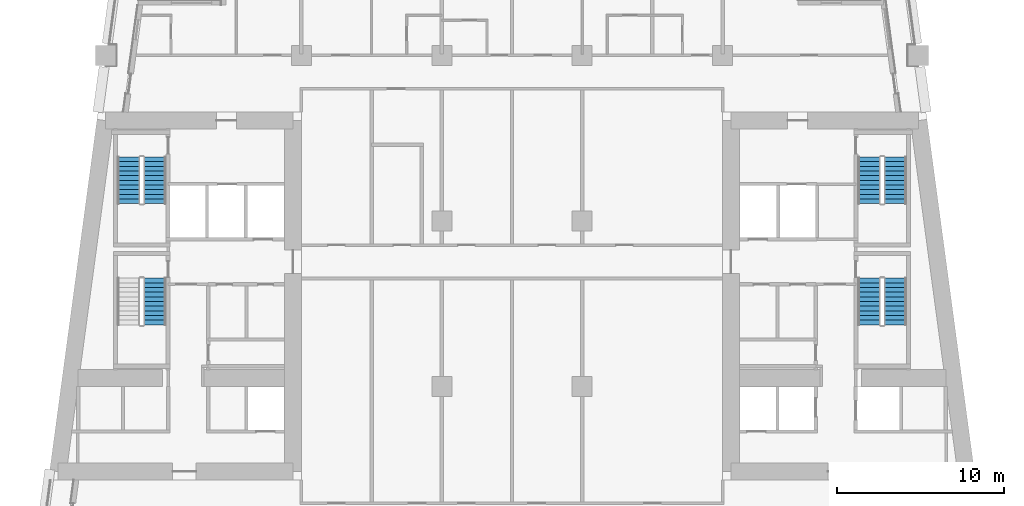
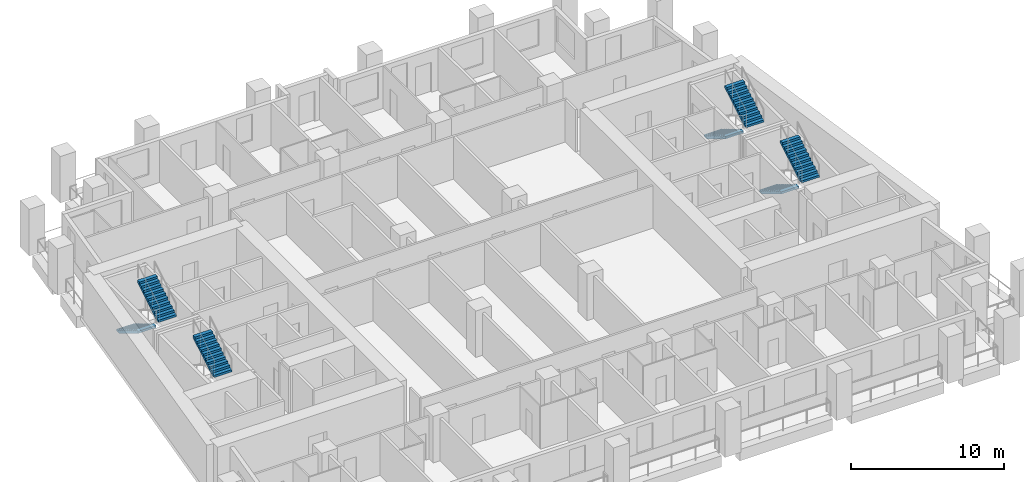
# One storey, part 8 of 13: 7 stair flights, 4 elements without a shape of their own.
"""IFC4 building model written with IfcOpenShell, lengths in metres."""

from ifc_helpers import new_model, si_unit, direction, frame, origin, place, context, subcontext, project, spatial, polyline, outline, extrude, material, type_object, element, aggregate, save


model = new_model("IFC4")

# Units and contexts
model_context = context("Model", 3, precision=1e-05, world=origin(), true_north=direction((0.0, 1.0)))
body_context = subcontext(model_context, "Body", "Model", "MODEL_VIEW")
ifc_project = project(units=[si_unit("LENGTHUNIT", "METRE"), si_unit("AREAUNIT", "SQUARE_METRE"), si_unit("VOLUMEUNIT", "CUBIC_METRE"), si_unit("PLANEANGLEUNIT", "RADIAN"), si_unit("MASSUNIT", "GRAM", prefix="KILO")], contexts=[model_context])

# Site, building, storey
site_placement = place(None, origin())
site = spatial("IfcSite", under=ifc_project, at=site_placement, CompositionType="ELEMENT")
building_placement = place(site_placement, origin())
building = spatial("IfcBuilding", under=site, at=building_placement, Name="Candeia Pilgrim Tower and Theatre", CompositionType="ELEMENT")
storey_placement = place(building_placement, frame((0.0, 0.0, 91.0)))
storey = spatial("IfcBuildingStorey", under=building, at=storey_placement, Name="L20", CompositionType="ELEMENT", Elevation=91.0)

# Stair, stair flight
ifc_material = material(Name="Concrete C40/50", Category="concrete")
stair_type = type_object("IfcStairType", Name="ST-TWR dog-leg escape stair", PredefinedType="HALF_TURN_STAIR", material=ifc_material)
stair_1_placement = place(storey_placement, origin())
stair_1 = element("IfcStair", 1, at=stair_1_placement, inside=storey, type_object=stair_type, Name="L20 Escape stair ST1", PredefinedType="HALF_TURN_STAIR")
stair_flight_type = type_object("IfcStairFlightType", Name="SFL-RC stair flight", PredefinedType="STRAIGHT", material=ifc_material)
stair_flight_1_placement = place(storey_placement, frame((92.027099609375, 119.675048828125, 1.85009765625), z_axis=(0.0, 0.0, 1.0), x_axis=(0.0, 1.0, 0.0)))
stair_flight_1 = element("IfcStairFlight", 2, at=stair_flight_1_placement, type_object=stair_flight_type, Name="ST1 flight 2", NumberOfRisers=11, NumberOfTreads=10, PredefinedType="STRAIGHT", RiserHeight=0.168181818, TreadLength=0.28, context=body_context, shape_type="SweptSolid", body=[
    extrude(outline(polyline([(0.0, 0.0), (0.0, 0.168212890625), (0.280029296875, 0.168212890625), (0.280029296875, 0.33642578125), (0.56005859375, 0.33642578125), (0.56005859375, 0.504638671875), (0.840087890625, 0.504638671875), (0.840087890625, 0.672607421875), (1.1201171875, 0.672607421875), (1.1201171875, 0.8408203125), (1.39990234375, 0.8408203125), (1.39990234375, 1.009033203125), (1.679931640625, 1.009033203125), (1.679931640625, 1.17724609375), (1.9599609375, 1.17724609375), (1.9599609375, 1.345458984375), (2.239990234375, 1.345458984375), (2.239990234375, 1.513671875), (2.52001953125, 1.513671875), (2.52001953125, 1.681884765625), (2.800048828125, 1.681884765625), (2.800048828125, 1.85009765625), (2.800048828125, 1.5068359375), (0.291015625, 0.0), (0.0, 0.0)])), frame((0.0, 0.675048828125, 0.0), z_axis=(0.0, -1.0, 0.0), x_axis=(1.0, 0.0, 0.0)), (0.0, 0.0, 1.0), 1.35009765625),
])
aggregate(stair_1, [stair_flight_1])

# Stair, stair flights
stair_2_placement = place(storey_placement, origin())
stair_2 = element("IfcStair", 3, at=stair_2_placement, inside=storey, type_object=stair_type, Name="L20 Escape stair ST2", PredefinedType="HALF_TURN_STAIR")
stair_flight_2_placement = place(storey_placement, frame((90.47705078125, 129.72509765625, 0.0), z_axis=(0.0, 0.0, 1.0), x_axis=(0.0, -1.0, 0.0)))
stair_flight_2 = element("IfcStairFlight", 4, at=stair_flight_2_placement, type_object=stair_flight_type, Name="ST2 flight 1", NumberOfRisers=11, NumberOfTreads=10, PredefinedType="STRAIGHT", RiserHeight=0.168181818, TreadLength=0.28, context=body_context, shape_type="SweptSolid", body=[
    extrude(outline(polyline([(0.0, 0.0), (0.0, 0.168212890625), (0.280029296875, 0.168212890625), (0.280029296875, 0.33642578125), (0.56005859375, 0.33642578125), (0.56005859375, 0.504638671875), (0.840087890625, 0.504638671875), (0.840087890625, 0.672607421875), (1.1201171875, 0.672607421875), (1.1201171875, 0.8408203125), (1.39990234375, 0.8408203125), (1.39990234375, 1.009033203125), (1.679931640625, 1.009033203125), (1.679931640625, 1.17724609375), (1.9599609375, 1.17724609375), (1.9599609375, 1.345458984375), (2.239990234375, 1.345458984375), (2.239990234375, 1.513671875), (2.52001953125, 1.513671875), (2.52001953125, 1.681884765625), (2.800048828125, 1.681884765625), (2.800048828125, 1.85009765625), (2.800048828125, 1.5068359375), (0.291015625, 0.0), (0.0, 0.0)])), frame((0.0, 0.675048828125, 0.0), z_axis=(0.0, -1.0, 0.0), x_axis=(1.0, 0.0, 0.0)), (0.0, 0.0, 1.0), 1.35009765625),
])
stair_flight_3_placement = place(storey_placement, frame((92.027099609375, 126.925048828125, 1.85009765625), z_axis=(0.0, 0.0, 1.0), x_axis=(0.0, 1.0, 0.0)))
stair_flight_3 = element("IfcStairFlight", 5, at=stair_flight_3_placement, type_object=stair_flight_type, Name="ST2 flight 2", NumberOfRisers=11, NumberOfTreads=10, PredefinedType="STRAIGHT", RiserHeight=0.168181818, TreadLength=0.28, context=body_context, shape_type="SweptSolid", body=[
    extrude(outline(polyline([(0.0, 0.0), (0.0, 0.168212890625), (0.280029296875, 0.168212890625), (0.280029296875, 0.33642578125), (0.56005859375, 0.33642578125), (0.56005859375, 0.504638671875), (0.840087890625, 0.504638671875), (0.840087890625, 0.672607421875), (1.1201171875, 0.672607421875), (1.1201171875, 0.8408203125), (1.39990234375, 0.8408203125), (1.39990234375, 1.009033203125), (1.679931640625, 1.009033203125), (1.679931640625, 1.17724609375), (1.9599609375, 1.17724609375), (1.9599609375, 1.345458984375), (2.239990234375, 1.345458984375), (2.239990234375, 1.513671875), (2.52001953125, 1.513671875), (2.52001953125, 1.681884765625), (2.800048828125, 1.681884765625), (2.800048828125, 1.85009765625), (2.800048828125, 1.5068359375), (0.291015625, 0.0), (0.0, 0.0)])), frame((0.0, 0.675048828125, 0.0), z_axis=(0.0, -1.0, 0.0), x_axis=(1.0, 0.0, 0.0)), (0.0, 0.0, 1.0), 1.35009765625),
])
aggregate(stair_2, [stair_flight_2, stair_flight_3])

stair_3_placement = place(storey_placement, origin())
stair_3 = element("IfcStair", 6, at=stair_3_placement, inside=storey, type_object=stair_type, Name="L20 Escape stair ST3", PredefinedType="HALF_TURN_STAIR")
stair_flight_4_placement = place(storey_placement, frame((134.77294921875, 122.47509765625, 0.0), z_axis=(0.0, 0.0, 1.0), x_axis=(0.0, -1.0, 0.0)))
stair_flight_4 = element("IfcStairFlight", 7, at=stair_flight_4_placement, type_object=stair_flight_type, Name="ST3 flight 1", NumberOfRisers=11, NumberOfTreads=10, PredefinedType="STRAIGHT", RiserHeight=0.168181818, TreadLength=0.28, context=body_context, shape_type="SweptSolid", body=[
    extrude(outline(polyline([(0.0, 0.0), (0.0, 0.168212890625), (0.280029296875, 0.168212890625), (0.280029296875, 0.33642578125), (0.56005859375, 0.33642578125), (0.56005859375, 0.504638671875), (0.840087890625, 0.504638671875), (0.840087890625, 0.672607421875), (1.1201171875, 0.672607421875), (1.1201171875, 0.8408203125), (1.39990234375, 0.8408203125), (1.39990234375, 1.009033203125), (1.679931640625, 1.009033203125), (1.679931640625, 1.17724609375), (1.9599609375, 1.17724609375), (1.9599609375, 1.345458984375), (2.239990234375, 1.345458984375), (2.239990234375, 1.513671875), (2.52001953125, 1.513671875), (2.52001953125, 1.681884765625), (2.800048828125, 1.681884765625), (2.800048828125, 1.85009765625), (2.800048828125, 1.5068359375), (0.291015625, 0.0), (0.0, 0.0)])), frame((0.0, 0.675048828125, 0.0), z_axis=(0.0, -1.0, 0.0), x_axis=(1.0, 0.0, 0.0)), (0.0, 0.0, 1.0), 1.35009765625),
])
stair_flight_5_placement = place(storey_placement, frame((136.322998046875, 119.675048828125, 1.85009765625), z_axis=(0.0, 0.0, 1.0), x_axis=(0.0, 1.0, 0.0)))
stair_flight_5 = element("IfcStairFlight", 8, at=stair_flight_5_placement, type_object=stair_flight_type, Name="ST3 flight 2", NumberOfRisers=11, NumberOfTreads=10, PredefinedType="STRAIGHT", RiserHeight=0.168181818, TreadLength=0.28, context=body_context, shape_type="SweptSolid", body=[
    extrude(outline(polyline([(0.0, 0.0), (0.0, 0.168212890625), (0.280029296875, 0.168212890625), (0.280029296875, 0.33642578125), (0.56005859375, 0.33642578125), (0.56005859375, 0.504638671875), (0.840087890625, 0.504638671875), (0.840087890625, 0.672607421875), (1.1201171875, 0.672607421875), (1.1201171875, 0.8408203125), (1.39990234375, 0.8408203125), (1.39990234375, 1.009033203125), (1.679931640625, 1.009033203125), (1.679931640625, 1.17724609375), (1.9599609375, 1.17724609375), (1.9599609375, 1.345458984375), (2.239990234375, 1.345458984375), (2.239990234375, 1.513671875), (2.52001953125, 1.513671875), (2.52001953125, 1.681884765625), (2.800048828125, 1.681884765625), (2.800048828125, 1.85009765625), (2.800048828125, 1.5068359375), (0.291015625, 0.0), (0.0, 0.0)])), frame((0.0, 0.675048828125, 0.0), z_axis=(0.0, -1.0, 0.0), x_axis=(1.0, 0.0, 0.0)), (0.0, 0.0, 1.0), 1.35009765625),
])
aggregate(stair_3, [stair_flight_4, stair_flight_5])

stair_4_placement = place(storey_placement, origin())
stair_4 = element("IfcStair", 9, at=stair_4_placement, inside=storey, type_object=stair_type, Name="L20 Escape stair ST4", PredefinedType="HALF_TURN_STAIR")
stair_flight_6_placement = place(storey_placement, frame((134.77294921875, 129.72509765625, 0.0), z_axis=(0.0, 0.0, 1.0), x_axis=(0.0, -1.0, 0.0)))
stair_flight_6 = element("IfcStairFlight", 10, at=stair_flight_6_placement, type_object=stair_flight_type, Name="ST4 flight 1", NumberOfRisers=11, NumberOfTreads=10, PredefinedType="STRAIGHT", RiserHeight=0.168181818, TreadLength=0.28, context=body_context, shape_type="SweptSolid", body=[
    extrude(outline(polyline([(0.0, 0.0), (0.0, 0.168212890625), (0.280029296875, 0.168212890625), (0.280029296875, 0.33642578125), (0.56005859375, 0.33642578125), (0.56005859375, 0.504638671875), (0.840087890625, 0.504638671875), (0.840087890625, 0.672607421875), (1.1201171875, 0.672607421875), (1.1201171875, 0.8408203125), (1.39990234375, 0.8408203125), (1.39990234375, 1.009033203125), (1.679931640625, 1.009033203125), (1.679931640625, 1.17724609375), (1.9599609375, 1.17724609375), (1.9599609375, 1.345458984375), (2.239990234375, 1.345458984375), (2.239990234375, 1.513671875), (2.52001953125, 1.513671875), (2.52001953125, 1.681884765625), (2.800048828125, 1.681884765625), (2.800048828125, 1.85009765625), (2.800048828125, 1.5068359375), (0.291015625, 0.0), (0.0, 0.0)])), frame((0.0, 0.675048828125, 0.0), z_axis=(0.0, -1.0, 0.0), x_axis=(1.0, 0.0, 0.0)), (0.0, 0.0, 1.0), 1.35009765625),
])
stair_flight_7_placement = place(storey_placement, frame((136.322998046875, 126.925048828125, 1.85009765625), z_axis=(0.0, 0.0, 1.0), x_axis=(0.0, 1.0, 0.0)))
stair_flight_7 = element("IfcStairFlight", 11, at=stair_flight_7_placement, type_object=stair_flight_type, Name="ST4 flight 2", NumberOfRisers=11, NumberOfTreads=10, PredefinedType="STRAIGHT", RiserHeight=0.168181818, TreadLength=0.28, context=body_context, shape_type="SweptSolid", body=[
    extrude(outline(polyline([(0.0, 0.0), (0.0, 0.168212890625), (0.280029296875, 0.168212890625), (0.280029296875, 0.33642578125), (0.56005859375, 0.33642578125), (0.56005859375, 0.504638671875), (0.840087890625, 0.504638671875), (0.840087890625, 0.672607421875), (1.1201171875, 0.672607421875), (1.1201171875, 0.8408203125), (1.39990234375, 0.8408203125), (1.39990234375, 1.009033203125), (1.679931640625, 1.009033203125), (1.679931640625, 1.17724609375), (1.9599609375, 1.17724609375), (1.9599609375, 1.345458984375), (2.239990234375, 1.345458984375), (2.239990234375, 1.513671875), (2.52001953125, 1.513671875), (2.52001953125, 1.681884765625), (2.800048828125, 1.681884765625), (2.800048828125, 1.85009765625), (2.800048828125, 1.5068359375), (0.291015625, 0.0), (0.0, 0.0)])), frame((0.0, 0.675048828125, 0.0), z_axis=(0.0, -1.0, 0.0), x_axis=(1.0, 0.0, 0.0)), (0.0, 0.0, 1.0), 1.35009765625),
])
aggregate(stair_4, [stair_flight_6, stair_flight_7])

save(model, "model.ifc")
